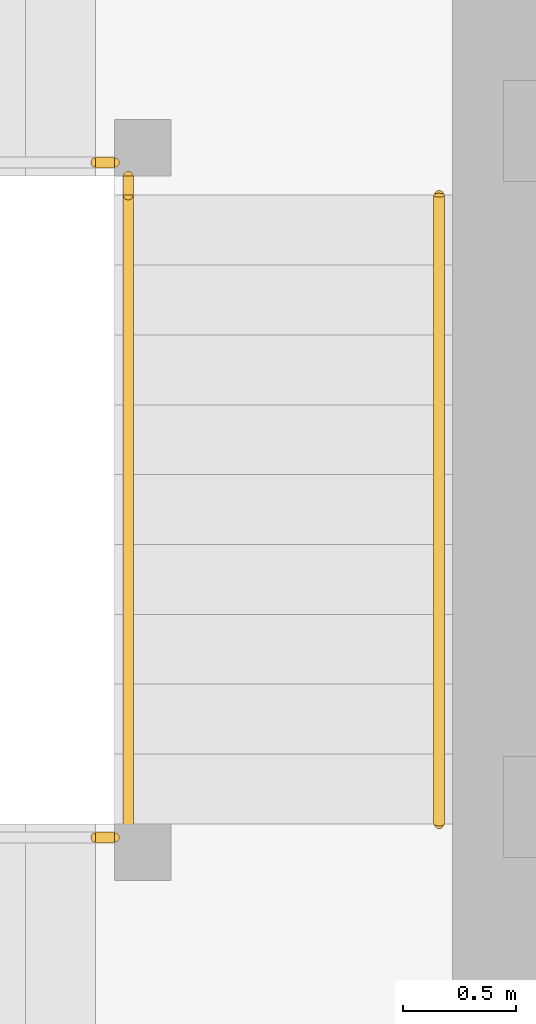
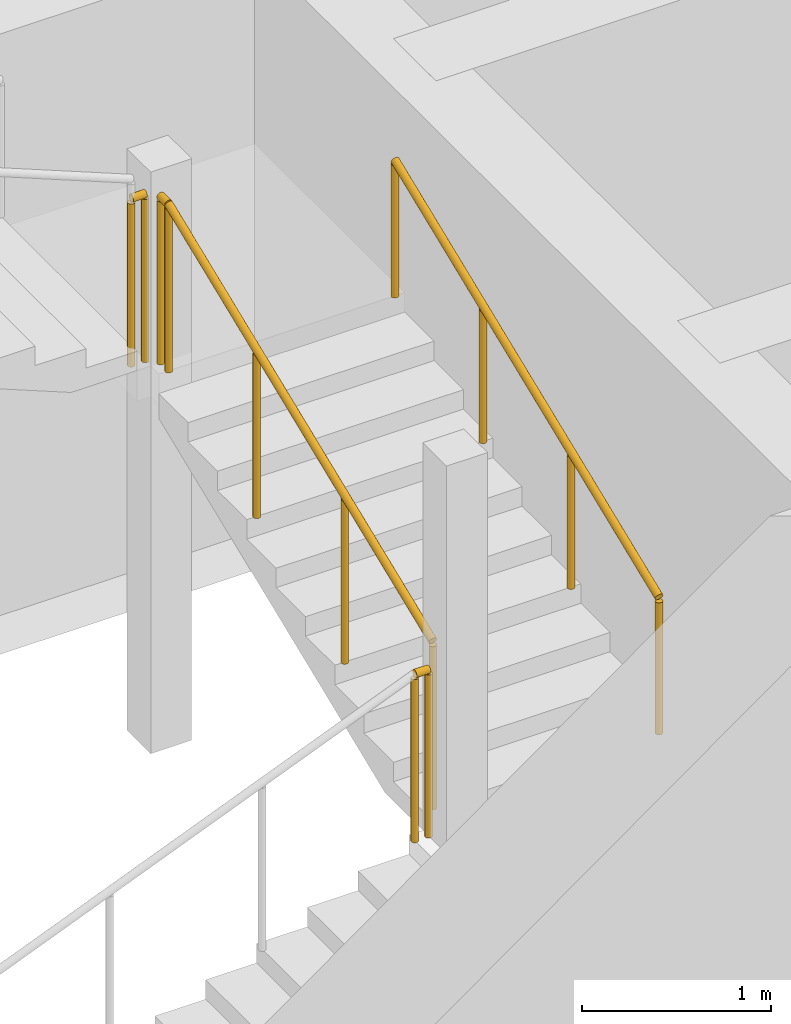
# One storey, part 31 of 34: 5 railings.
"""IFC4 building model written with IfcOpenShell, lengths in metres."""

from ifc_helpers import new_model, si_unit, direction, frame, origin, origin_2d, place, context, subcontext, project, spatial, circle, extrude, material, type_object, element, save


model = new_model("IFC4")

# Units and contexts
model_context = context("Model", 3, precision=1e-05, world=origin(), true_north=direction((0.0, 1.0)))
body_context = subcontext(model_context, "Body", "Model", "MODEL_VIEW")
ifc_project = project(units=[si_unit("LENGTHUNIT", "METRE"), si_unit("AREAUNIT", "SQUARE_METRE"), si_unit("VOLUMEUNIT", "CUBIC_METRE"), si_unit("PLANEANGLEUNIT", "RADIAN"), si_unit("MASSUNIT", "GRAM", prefix="KILO")], contexts=[model_context])

# Site, building, storey
site_placement = place(None, origin())
site = spatial("IfcSite", under=ifc_project, at=site_placement, CompositionType="ELEMENT")
building_placement = place(site_placement, origin())
building = spatial("IfcBuilding", under=site, at=building_placement, Name="Rekha Terrace Tower", CompositionType="ELEMENT")
storey_placement = place(building_placement, frame((0.0, 0.0, 176.449951171875)))
storey = spatial("IfcBuildingStorey", under=building, at=storey_placement, Name="L44", CompositionType="ELEMENT", Elevation=176.449951171875)

# Railings
ifc_material_1 = material(Name="Stainless steel balustrade", Category="steel")
railing_type_1 = type_object("IfcRailingType", Name="GR1 1100 stair guard", PredefinedType="GUARDRAIL", material=ifc_material_1)
railing_1_placement = place(storey_placement, frame((30.135009765625, 41.324951171875, 1.375)))
element("IfcRailing", 1, at=railing_1_placement, inside=storey, type_object=railing_type_1, Name="Guard ST4 L44 flight 2", PredefinedType="GUARDRAIL", context=body_context, shape_type="SweptSolid", body=[
    extrude(circle(Radius=0.02392578125, at=origin_2d()), frame((0.0, 0.0, 1.076171875), z_axis=(0.0, 0.927443287984, 0.373963831907), x_axis=(-1.0, 0.0, 0.0)), (0.0, 0.0, 1.0), 3.00830078125),
    extrude(circle(Radius=0.02099609375, at=origin_2d()), origin(), (0.0, 0.0, 1.0), 1.052001953125),
    extrude(circle(Radius=0.02099609375, at=origin_2d()), frame((0.0, 0.929931640625, 0.375)), (0.0, 0.0, 1.0), 1.052001953125),
    extrude(circle(Radius=0.02099609375, at=origin_2d()), frame((0.0, 1.860107421875, 0.75)), (0.0, 0.0, 1.0), 1.052001953125),
    extrude(circle(Radius=0.02099609375, at=origin_2d()), frame((0.0, 2.7900390625, 1.125)), (0.0, 0.0, 1.0), 1.052001953125),
])
railing_2_placement = place(storey_placement, frame((29.989990234375, 41.264892578125, 1.25)))
element("IfcRailing", 2, at=railing_2_placement, inside=storey, type_object=railing_type_1, Name="Guard ST4 L44 landing 1", PredefinedType="GUARDRAIL", context=body_context, shape_type="SweptSolid", body=[
    extrude(circle(Radius=0.02392578125, at=origin_2d()), frame((0.0, 0.0, 1.076171875), z_axis=(1.0, 0.0, 0.0), x_axis=(0.0, 1.0, 0.0)), (0.0, 0.0, 1.0), 0.0849609375),
    extrude(circle(Radius=0.02099609375, at=origin_2d()), origin(), (0.0, 0.0, 1.0), 1.052001953125),
    extrude(circle(Radius=0.02099609375, at=origin_2d()), frame((0.0849609375, 0.0, 0.0)), (0.0, 0.0, 1.0), 1.052001953125),
])
railing_3_placement = place(storey_placement, frame((30.135009765625, 44.114990234375, 2.5)))
element("IfcRailing", 3, at=railing_3_placement, inside=storey, type_object=railing_type_1, Name="Guard ST4 L44 landing 2", PredefinedType="GUARDRAIL", context=body_context, shape_type="SweptSolid", body=[
    extrude(circle(Radius=0.02392578125, at=origin_2d()), frame((0.0, 0.0, 1.076171875), z_axis=(0.0, 1.0, 0.0), x_axis=(-1.0, 0.0, 0.0)), (0.0, 0.0, 1.0), 0.0849609375),
    extrude(circle(Radius=0.02099609375, at=origin_2d()), origin(), (0.0, 0.0, 1.0), 1.052001953125),
    extrude(circle(Radius=0.02099609375, at=origin_2d()), frame((0.0, 0.0849609375, 0.0)), (0.0, 0.0, 1.0), 1.052001953125),
])
railing_4_placement = place(storey_placement, frame((29.989990234375, 44.260009765625, 2.5)))
element("IfcRailing", 4, at=railing_4_placement, inside=storey, type_object=railing_type_1, Name="Guard ST4 L44 landing 3", PredefinedType="GUARDRAIL", context=body_context, shape_type="SweptSolid", body=[
    extrude(circle(Radius=0.02392578125, at=origin_2d()), frame((0.0, 0.0, 1.076171875), z_axis=(1.0, 0.0, 0.0), x_axis=(0.0, 1.0, 0.0)), (0.0, 0.0, 1.0), 0.0849609375),
    extrude(circle(Radius=0.02099609375, at=origin_2d()), origin(), (0.0, 0.0, 1.0), 1.052001953125),
    extrude(circle(Radius=0.02099609375, at=origin_2d()), frame((0.0849609375, 0.0, 0.0)), (0.0, 0.0, 1.0), 1.052001953125),
])
ifc_material_2 = material(Name="Stainless steel tube", Category="steel")
railing_type_2 = type_object("IfcRailingType", Name="HR1 900 stair handrail", PredefinedType="HANDRAIL", material=ifc_material_2)
railing_5_placement = place(storey_placement, frame((31.514892578125, 41.324951171875, 1.375)))
element("IfcRailing", 5, at=railing_5_placement, inside=storey, type_object=railing_type_2, Name="Handrail ST4 L44 flight 2", PredefinedType="HANDRAIL", context=body_context, shape_type="SweptSolid", body=[
    extrude(circle(Radius=0.02392578125, at=origin_2d()), frame((0.0, 0.0, 0.8759765625), z_axis=(0.0, 0.927443287984, 0.373963831907), x_axis=(-1.0, 0.0, 0.0)), (0.0, 0.0, 1.0), 3.00830078125),
    extrude(circle(Radius=0.02099609375, at=origin_2d()), origin(), (0.0, 0.0, 1.0), 0.851806640625),
    extrude(circle(Radius=0.02099609375, at=origin_2d()), frame((0.0, 0.929931640625, 0.375)), (0.0, 0.0, 1.0), 0.851806640625),
    extrude(circle(Radius=0.02099609375, at=origin_2d()), frame((0.0, 1.860107421875, 0.75)), (0.0, 0.0, 1.0), 0.851806640625),
    extrude(circle(Radius=0.02099609375, at=origin_2d()), frame((0.0, 2.7900390625, 1.125)), (0.0, 0.0, 1.0), 0.851806640625),
])

save(model, "model.ifc")
